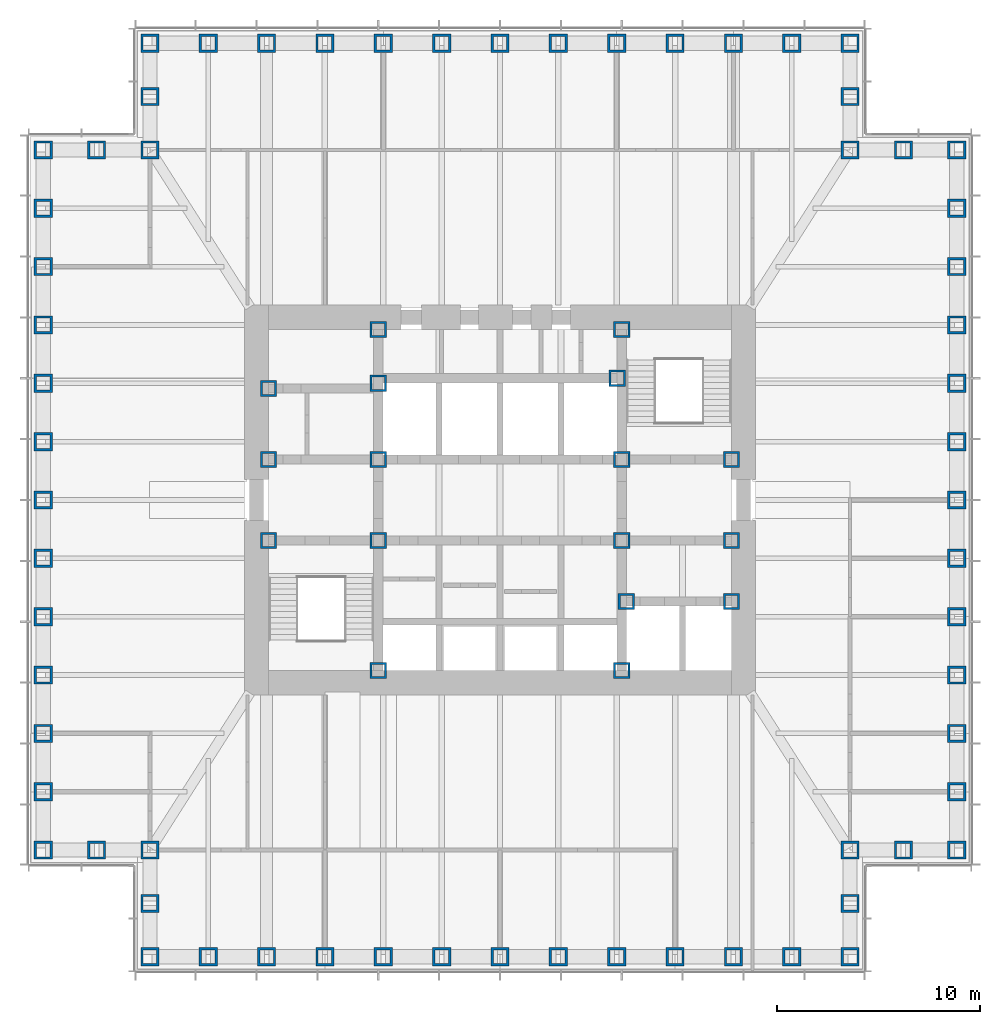
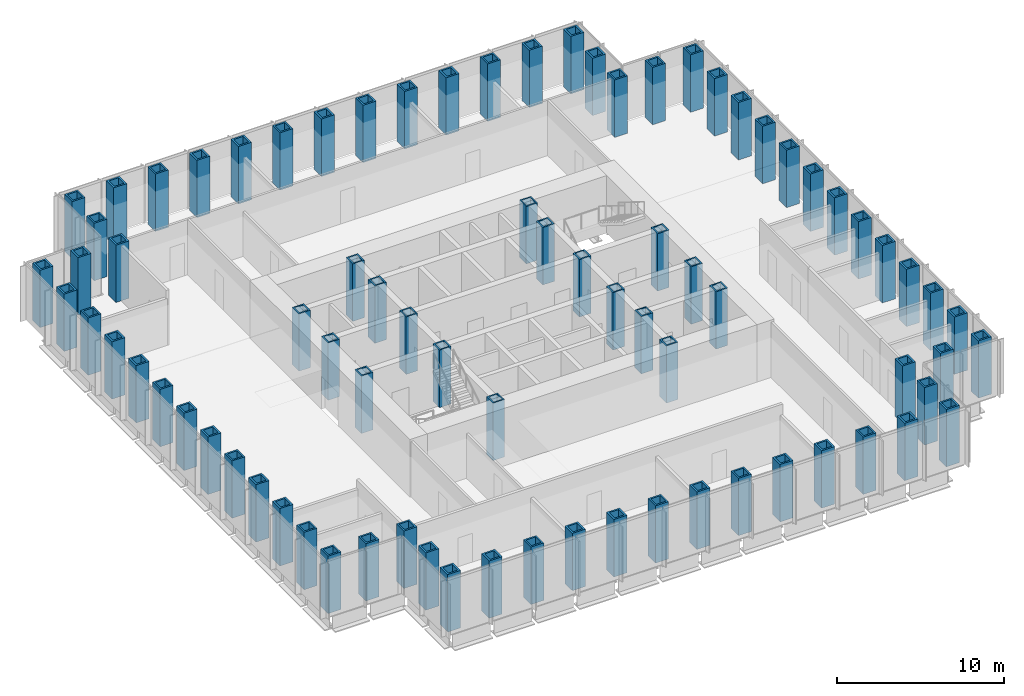
# One storey, part 1 of 17: 81 columns.
"""IFC4 building model written with IfcOpenShell, lengths in metres."""

from ifc_helpers import new_model, si_unit, direction, frame, origin, origin_2d, place, context, subcontext, project, spatial, hollow_rectangle, extrude, material, material_profile, profile_set, type_object, element, save


model = new_model("IFC4")

# Units and contexts
model_context = context("Model", 3, precision=1e-05, world=origin(), true_north=direction((0.0, 1.0)))
body_context = subcontext(model_context, "Body", "Model", "MODEL_VIEW")
ifc_project = project(units=[si_unit("LENGTHUNIT", "METRE"), si_unit("AREAUNIT", "SQUARE_METRE"), si_unit("VOLUMEUNIT", "CUBIC_METRE"), si_unit("PLANEANGLEUNIT", "RADIAN"), si_unit("MASSUNIT", "GRAM", prefix="KILO")], contexts=[model_context])

# Site, building, storey
site_placement = place(None, origin())
site = spatial("IfcSite", under=ifc_project, at=site_placement, CompositionType="ELEMENT")
building_placement = place(site_placement, origin())
building = spatial("IfcBuilding", under=site, at=building_placement, Name="Daluyong Arena Tower", CompositionType="ELEMENT")
storey_placement = place(building_placement, frame((0.0, 0.0, 166.89990234375)))
storey = spatial("IfcBuildingStorey", under=building, at=storey_placement, Name="L37", CompositionType="ELEMENT", Elevation=166.89990234375)

# Columns
ifc_material_1 = material(Name="Steel ASTM A572 Grade 50", Category="steel")
ifc_material_profile_1 = material_profile(ifc_material_1, hollow_rectangle(XDim=0.800048828125, YDim=0.800048828125, WallThickness=0.1, at=origin_2d()))
ifc_profile_set_1 = profile_set([ifc_material_profile_1], Name="Steel ASTM A572 Grade 50")
column_type_1 = type_object("IfcColumnType", Name="Core boundary column BX800X100", PredefinedType="COLUMN", material=ifc_profile_set_1)
for number, where, z_axis, x_axis, name in (
    (1, (44.60009765625, 78.0, 0.0), (0.0, 0.0, 1.0), (1.0, 0.0, 0.0), "core boundary column BC2"),
    (2, (44.60009765625, 82.0, 0.0), (0.0, 0.0, 1.0), (1.0, 0.0, 0.0), "core boundary column BC2"),
    (3, (44.60009765625, 85.5, 0.0), (0.0, 0.0, 1.0), (1.0, 0.0, 0.0), "core boundary column BC2"),
    (4, (50.0, 71.60009765625, 0.0), (0.0, 0.0, 1.0), (1.0, 0.0, 0.0), "core boundary column BC2"),
    (5, (50.0, 78.0, 0.0), (0.0, 0.0, 1.0), (1.0, 0.0, 0.0), "core boundary column BC2"),
    (6, (50.0, 82.0, 0.0), (0.0, 0.0, 1.0), (1.0, 0.0, 0.0), "core boundary column BC2"),
    (7, (50.0, 85.75, 0.0), (0.0, 0.0, 1.0), (1.0, 0.0, 0.0), "core boundary column BC2"),
    (8, (50.0, 88.39990234375, 0.0), (0.0, 0.0, 1.0), (1.0, 0.0, 0.0), "core boundary column BC2"),
    (9, (61.77490234375, 86.0, 0.0), (0.0, 0.0, 1.0), (1.0, 0.0, 0.0), "core boundary column BC2"),
    (10, (62.0, 71.60009765625, 0.0), (0.0, 0.0, 1.0), (1.0, 0.0, 0.0), "core boundary column BC2"),
    (11, (62.0, 78.0, 0.0), (0.0, 0.0, 1.0), (1.0, 0.0, 0.0), "core boundary column BC2"),
    (12, (62.0, 82.0, 0.0), (0.0, 0.0, 1.0), (1.0, 0.0, 0.0), "core boundary column BC2"),
    (13, (62.0, 88.39990234375, 0.0), (0.0, 0.0, 1.0), (1.0, 0.0, 0.0), "core boundary column BC2"),
    (14, (62.22509765625, 75.0, 0.0), (0.0, 0.0, 1.0), (1.0, 0.0, 0.0), "core boundary column BC2"),
    (15, (67.39990234375, 75.0, 0.0), (0.0, 0.0, 1.0), (1.0, 0.0, 0.0), "core boundary column BC2"),
    (16, (67.39990234375, 78.0, 0.0), (0.0, 0.0, 1.0), (1.0, 0.0, 0.0), "core boundary column BC2"),
    (17, (67.39990234375, 82.0, 0.0), (0.0, 0.0, 1.0), (1.0, 0.0, 0.0), "core boundary column BC2"),
):
    element("IfcColumn", number, at=place(storey_placement, frame(where, z_axis=z_axis, x_axis=x_axis)), inside=storey, type_object=column_type_1, Name=name, PredefinedType="COLUMN", context=body_context, shape_type="SweptSolid", body=[
        extrude(hollow_rectangle(XDim=0.800048828125, YDim=0.800048828125, WallThickness=0.1, at=origin_2d()), origin(), (0.0, 0.0, 1.0), 4.2001953125),
    ])
ifc_material_2 = material(Name="Steel ASTM A588 Grade 50", Category="steel")
ifc_material_profile_2 = material_profile(ifc_material_2, hollow_rectangle(XDim=0.89990234375, YDim=0.89990234375, WallThickness=0.12, at=origin_2d()))
ifc_profile_set_2 = profile_set([ifc_material_profile_2], Name="Steel ASTM A588 Grade 50")
column_type_2 = type_object("IfcColumnType", Name="Tube column BX900X120 BX900X120", PredefinedType="COLUMN", material=ifc_profile_set_2)
for number, where, z_axis, x_axis, name in (
    (18, (38.75, 57.5, 0.0), (0.0, 0.0, 1.0), (1.0, 0.0, 0.0), "tube column bx900x120 TC4"),
    (19, (41.625, 57.5, 0.0), (0.0, 0.0, 1.0), (1.0, 0.0, 0.0), "tube column bx900x120 TC4"),
    (20, (44.5, 57.5, 0.0), (0.0, 0.0, 1.0), (1.0, 0.0, 0.0), "tube column bx900x120 TC4"),
    (21, (47.375, 57.5, 0.0), (0.0, 0.0, 1.0), (1.0, 0.0, 0.0), "tube column bx900x120 TC4"),
    (22, (50.25, 57.5, 0.0), (0.0, 0.0, 1.0), (1.0, 0.0, 0.0), "tube column bx900x120 TC4"),
    (23, (53.125, 57.5, 0.0), (0.0, 0.0, 1.0), (1.0, 0.0, 0.0), "tube column bx900x120 TC4"),
    (24, (56.0, 57.5, 0.0), (0.0, 0.0, 1.0), (1.0, 0.0, 0.0), "tube column bx900x120 TC4"),
    (25, (58.875, 57.5, 0.0), (0.0, 0.0, 1.0), (1.0, 0.0, 0.0), "tube column bx900x120 TC4"),
    (26, (61.75, 57.5, 0.0), (0.0, 0.0, 1.0), (1.0, 0.0, 0.0), "tube column bx900x120 TC4"),
    (27, (64.625, 57.5, 0.0), (0.0, 0.0, 1.0), (1.0, 0.0, 0.0), "tube column bx900x120 TC4"),
    (28, (67.5, 57.5, 0.0), (0.0, 0.0, 1.0), (1.0, 0.0, 0.0), "tube column bx900x120 TC4"),
    (29, (70.375, 57.5, 0.0), (0.0, 0.0, 1.0), (1.0, 0.0, 0.0), "tube column bx900x120 TC4"),
    (30, (73.25, 57.5, 0.0), (0.0, 0.0, 1.0), (0.0, 1.0, 0.0), "tube column bx900x120 TC4"),
    (31, (73.25, 60.125, 0.0), (0.0, 0.0, 1.0), (0.0, 1.0, 0.0), "tube column bx900x120 TC4"),
    (32, (73.25, 62.75, 0.0), (0.0, 0.0, 1.0), (1.0, 0.0, 0.0), "tube column bx900x120 TC4"),
    (33, (75.875, 62.75, 0.0), (0.0, 0.0, 1.0), (1.0, 0.0, 0.0), "tube column bx900x120 TC4"),
    (34, (78.5, 62.75, 0.0), (0.0, 0.0, 1.0), (0.0, 1.0, 0.0), "tube column bx900x120 TC4"),
    (35, (78.5, 65.625, 0.0), (0.0, 0.0, 1.0), (0.0, 1.0, 0.0), "tube column bx900x120 TC4"),
    (36, (78.5, 68.5, 0.0), (0.0, 0.0, 1.0), (0.0, 1.0, 0.0), "tube column bx900x120 TC4"),
    (37, (78.5, 71.375, 0.0), (0.0, 0.0, 1.0), (0.0, 1.0, 0.0), "tube column bx900x120 TC4"),
    (38, (78.5, 74.25, 0.0), (0.0, 0.0, 1.0), (0.0, 1.0, 0.0), "tube column bx900x120 TC4"),
    (39, (78.5, 77.125, 0.0), (0.0, 0.0, 1.0), (0.0, 1.0, 0.0), "tube column bx900x120 TC4"),
    (40, (78.5, 80.0, 0.0), (0.0, 0.0, 1.0), (0.0, 1.0, 0.0), "tube column bx900x120 TC4"),
    (41, (78.5, 82.875, 0.0), (0.0, 0.0, 1.0), (0.0, 1.0, 0.0), "tube column bx900x120 TC4"),
    (42, (78.5, 85.75, 0.0), (0.0, 0.0, 1.0), (0.0, 1.0, 0.0), "tube column bx900x120 TC4"),
    (43, (78.5, 88.625, 0.0), (0.0, 0.0, 1.0), (0.0, 1.0, 0.0), "tube column bx900x120 TC4"),
    (44, (78.5, 91.5, 0.0), (0.0, 0.0, 1.0), (0.0, 1.0, 0.0), "tube column bx900x120 TC4"),
    (45, (78.5, 94.375, 0.0), (0.0, 0.0, 1.0), (0.0, 1.0, 0.0), "tube column bx900x120 TC4"),
    (46, (78.5, 97.25, 0.0), (0.0, 0.0, 1.0), (1.0, 0.0, 0.0), "tube column bx900x120 TC4"),
    (47, (75.875, 97.25, 0.0), (0.0, 0.0, 1.0), (1.0, 0.0, 0.0), "tube column bx900x120 TC4"),
    (48, (73.25, 97.25, 0.0), (0.0, 0.0, 1.0), (0.0, 1.0, 0.0), "tube column bx900x120 TC4"),
    (49, (73.25, 99.875, 0.0), (0.0, 0.0, 1.0), (0.0, 1.0, 0.0), "tube column bx900x120 TC4"),
    (50, (73.25, 102.5, 0.0), (0.0, 0.0, 1.0), (1.0, 0.0, 0.0), "tube column bx900x120 TC4"),
    (51, (70.375, 102.5, 0.0), (0.0, 0.0, 1.0), (1.0, 0.0, 0.0), "tube column bx900x120 TC4"),
    (52, (67.5, 102.5, 0.0), (0.0, 0.0, 1.0), (1.0, 0.0, 0.0), "tube column bx900x120 TC4"),
    (53, (64.625, 102.5, 0.0), (0.0, 0.0, 1.0), (1.0, 0.0, 0.0), "tube column bx900x120 TC4"),
    (54, (61.75, 102.5, 0.0), (0.0, 0.0, 1.0), (1.0, 0.0, 0.0), "tube column bx900x120 TC4"),
    (55, (58.875, 102.5, 0.0), (0.0, 0.0, 1.0), (1.0, 0.0, 0.0), "tube column bx900x120 TC4"),
    (56, (56.0, 102.5, 0.0), (0.0, 0.0, 1.0), (1.0, 0.0, 0.0), "tube column bx900x120 TC4"),
    (57, (53.125, 102.5, 0.0), (0.0, 0.0, 1.0), (1.0, 0.0, 0.0), "tube column bx900x120 TC4"),
    (58, (50.25, 102.5, 0.0), (0.0, 0.0, 1.0), (1.0, 0.0, 0.0), "tube column bx900x120 TC4"),
    (59, (47.375, 102.5, 0.0), (0.0, 0.0, 1.0), (1.0, 0.0, 0.0), "tube column bx900x120 TC4"),
    (60, (44.5, 102.5, 0.0), (0.0, 0.0, 1.0), (1.0, 0.0, 0.0), "tube column bx900x120 TC4"),
    (61, (41.625, 102.5, 0.0), (0.0, 0.0, 1.0), (1.0, 0.0, 0.0), "tube column bx900x120 TC4"),
    (62, (38.75, 102.5, 0.0), (0.0, 0.0, 1.0), (0.0, 1.0, 0.0), "tube column bx900x120 TC4"),
    (63, (38.75, 99.875, 0.0), (0.0, 0.0, 1.0), (0.0, 1.0, 0.0), "tube column bx900x120 TC4"),
    (64, (38.75, 97.25, 0.0), (0.0, 0.0, 1.0), (1.0, 0.0, 0.0), "tube column bx900x120 TC4"),
    (65, (36.125, 97.25, 0.0), (0.0, 0.0, 1.0), (1.0, 0.0, 0.0), "tube column bx900x120 TC4"),
    (66, (33.5, 97.25, 0.0), (0.0, 0.0, 1.0), (0.0, 1.0, 0.0), "tube column bx900x120 TC4"),
    (67, (33.5, 94.375, 0.0), (0.0, 0.0, 1.0), (0.0, 1.0, 0.0), "tube column bx900x120 TC4"),
    (68, (33.5, 91.5, 0.0), (0.0, 0.0, 1.0), (0.0, 1.0, 0.0), "tube column bx900x120 TC4"),
    (69, (33.5, 88.625, 0.0), (0.0, 0.0, 1.0), (0.0, 1.0, 0.0), "tube column bx900x120 TC4"),
    (70, (33.5, 85.75, 0.0), (0.0, 0.0, 1.0), (0.0, 1.0, 0.0), "tube column bx900x120 TC4"),
    (71, (33.5, 82.875, 0.0), (0.0, 0.0, 1.0), (0.0, 1.0, 0.0), "tube column bx900x120 TC4"),
    (72, (33.5, 80.0, 0.0), (0.0, 0.0, 1.0), (0.0, 1.0, 0.0), "tube column bx900x120 TC4"),
    (73, (33.5, 77.125, 0.0), (0.0, 0.0, 1.0), (0.0, 1.0, 0.0), "tube column bx900x120 TC4"),
    (74, (33.5, 74.25, 0.0), (0.0, 0.0, 1.0), (0.0, 1.0, 0.0), "tube column bx900x120 TC4"),
    (75, (33.5, 71.375, 0.0), (0.0, 0.0, 1.0), (0.0, 1.0, 0.0), "tube column bx900x120 TC4"),
    (76, (33.5, 68.5, 0.0), (0.0, 0.0, 1.0), (0.0, 1.0, 0.0), "tube column bx900x120 TC4"),
    (77, (33.5, 65.625, 0.0), (0.0, 0.0, 1.0), (0.0, 1.0, 0.0), "tube column bx900x120 TC4"),
    (78, (33.5, 62.75, 0.0), (0.0, 0.0, 1.0), (1.0, 0.0, 0.0), "tube column bx900x120 TC4"),
    (79, (36.125, 62.75, 0.0), (0.0, 0.0, 1.0), (1.0, 0.0, 0.0), "tube column bx900x120 TC4"),
    (80, (38.75, 62.75, 0.0), (0.0, 0.0, 1.0), (0.0, 1.0, 0.0), "tube column bx900x120 TC4"),
    (81, (38.75, 60.125, 0.0), (0.0, 0.0, 1.0), (0.0, 1.0, 0.0), "tube column bx900x120 TC4"),
):
    element("IfcColumn", number, at=place(storey_placement, frame(where, z_axis=z_axis, x_axis=x_axis)), inside=storey, type_object=column_type_2, Name=name, PredefinedType="COLUMN", context=body_context, shape_type="SweptSolid", body=[
        extrude(hollow_rectangle(XDim=0.89990234375, YDim=0.89990234375, WallThickness=0.12, at=origin_2d()), origin(), (0.0, 0.0, 1.0), 4.2001953125),
    ])

save(model, "model.ifc")
